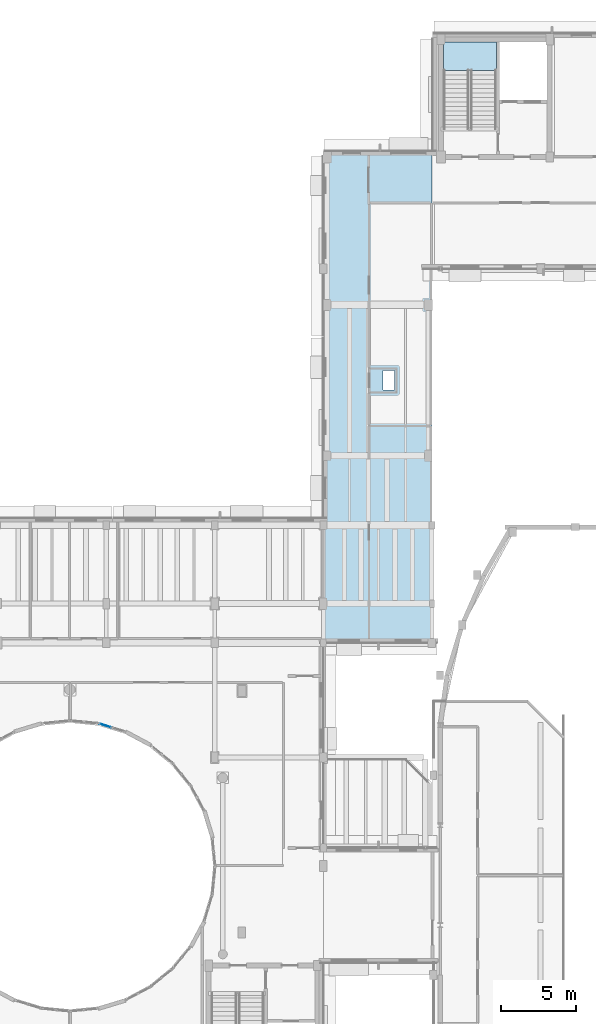
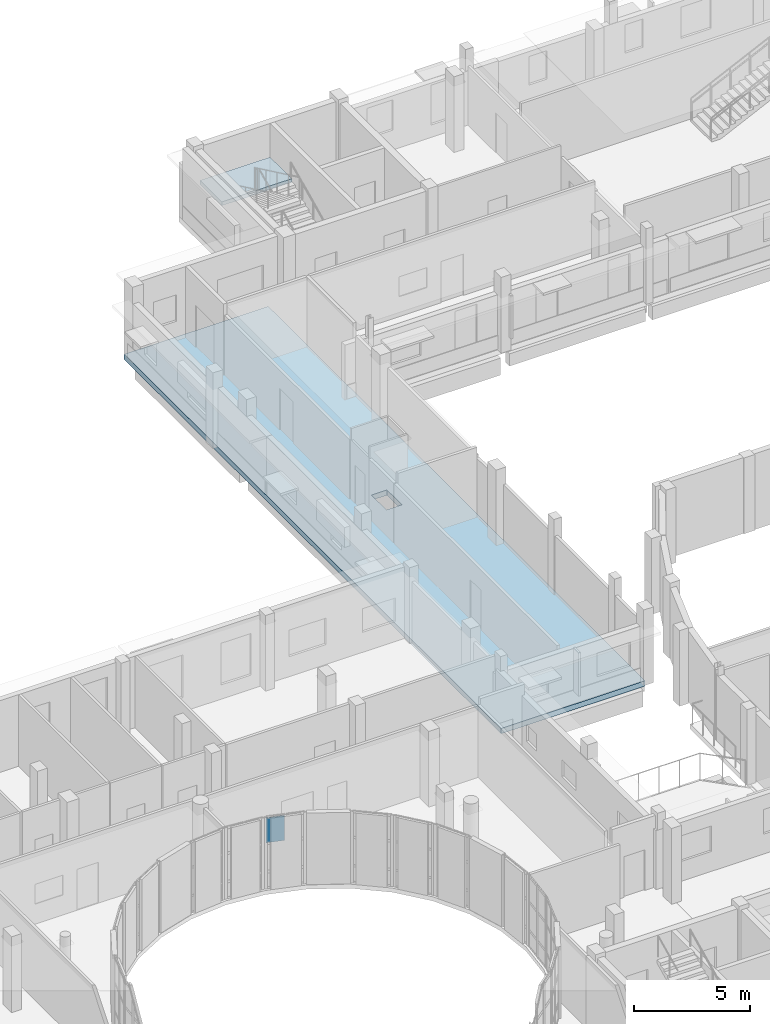
# One storey, part 63 of 92: 2 slabs, 1 plate, 2 elements without a shape of their own.
"""IFC4 building model written with IfcOpenShell, lengths in metres."""

from ifc_helpers import new_model, si_unit, direction, frame, origin, origin_2d, place, context, subcontext, project, spatial, polyline, rectangle, outline, extrude, material, layer, layer_set, type_object, element, aggregate, save


model = new_model("IFC4")

# Units and contexts
model_context = context("Model", 3, precision=1e-05, world=origin(), true_north=direction((0.0, 1.0)))
body_context = subcontext(model_context, "Body", "Model", "MODEL_VIEW")
ifc_project = project(units=[si_unit("LENGTHUNIT", "METRE"), si_unit("AREAUNIT", "SQUARE_METRE"), si_unit("VOLUMEUNIT", "CUBIC_METRE"), si_unit("PLANEANGLEUNIT", "RADIAN"), si_unit("MASSUNIT", "GRAM", prefix="KILO")], contexts=[model_context])

# Site, building, storey
site_placement = place(None, origin())
site = spatial("IfcSite", under=ifc_project, at=site_placement, CompositionType="ELEMENT")
building_placement = place(site_placement, origin())
building = spatial("IfcBuilding", under=site, at=building_placement, Name="Kelanivale Promenade Academy", CompositionType="ELEMENT")
storey_placement = place(building_placement, frame((0.0, 0.0, 8.199951171875)))
storey = spatial("IfcBuildingStorey", under=building, at=storey_placement, Name="L02", CompositionType="ELEMENT", Elevation=8.199951171875)

# Curtain wall, plate
ifc_material_1 = material(Name="Bronze anodised aluminium and solar-control low-E glass", Category="aluminium")
ifc_layer_1 = layer(ifc_material_1, 0.179931640625)
ifc_layer_set_1 = layer_set([ifc_layer_1], Name="Bronze anodised aluminium and solar-control low-E glass")
curtain_wall_type = type_object("IfcCurtainWallType", Name="CW-11 Curtain Wall 1950mm Module", PredefinedType="USERDEFINED", material=ifc_layer_set_1)
curtain_wall_placement = place(storey_placement, origin())
curtain_wall = element("IfcCurtainWall", 1, at=curtain_wall_placement, inside=storey, type_object=curtain_wall_type, Name="L02 courtyard curtain wall CW-11", ObjectType="UNITISED GLAZING", PredefinedType="USERDEFINED")
ifc_material_2 = material(Name="Acoustic laminated double glazing 36 mm", Category="glass")
ifc_layer_2 = layer(ifc_material_2, 0.035888671875)
ifc_layer_set_2 = layer_set([ifc_layer_2], Name="Acoustic laminated double glazing 36 mm")
plate_type = type_object("IfcPlateType", Name="CWP-02 Plate 36mm", PredefinedType="CURTAIN_PANEL", material=ifc_layer_set_2)
plate_placement = place(storey_placement, frame((101.151611328125, 66.1123046875, 2.42529296875), z_axis=(0.0, 0.0, 1.0), x_axis=(-0.956987977524, 0.290127576893, 0.0)))
plate = element("IfcPlate", 2, at=plate_placement, type_object=plate_type, Name="CW-11 panel 2.3", PredefinedType="CURTAIN_PANEL", context=body_context, shape_type="SweptSolid", body=[
    extrude(rectangle(XDim=0.826171875, YDim=0.035888671875, at=origin_2d()), origin(), (0.0, 0.0, 1.0), 1.304931640625),
])
aggregate(curtain_wall, [plate])

# Slab
ifc_material_3 = material(Name="Concrete C35/45", Category="concrete")
ifc_layer_3 = layer(ifc_material_3, 0.280029296875)
ifc_layer_set_3 = layer_set([ifc_layer_3], Name="Concrete C35/45")
slab_type_1 = type_object("IfcSlabType", Name="FS-03 Slab 280mm", PredefinedType="FLOOR", material=ifc_layer_set_3)
slab_1_placement = place(storey_placement, frame((0.0, 0.0, -0.280029296875)))
element("IfcSlab", 3, at=slab_1_placement, inside=storey, type_object=slab_type_1, Name="L02 structural slab SLB-L02-V5K", PredefinedType="FLOOR", context=body_context, shape_type="SweptSolid", body=[
    extrude(outline(polyline([(122.800048828125, 71.60009765625), (122.800048828125, 104.199951171875), (115.60009765625, 104.199951171875), (115.60009765625, 71.60009765625), (122.800048828125, 71.60009765625)]), holes=[polyline([(120.320068359375, 89.64990234375), (120.320068359375, 88.35009765625), (119.550048828125, 88.35009765625), (119.550048828125, 89.64990234375), (120.320068359375, 89.64990234375)])]), origin(), (0.0, 0.0, 1.0), 0.280029296875),
])

# Stair, slab
stair_type = type_object("IfcStairType", Name="ST-T02 Protected dog-leg upper-storey stair", PredefinedType="HALF_TURN_STAIR", material=ifc_material_3)
stair_placement = place(storey_placement, origin())
stair = element("IfcStair", 4, at=stair_placement, inside=storey, type_object=stair_type, Name="L02 ST-05", PredefinedType="HALF_TURN_STAIR")
ifc_layer_4 = layer(ifc_material_3, 0.199951171875)
ifc_layer_set_4 = layer_set([ifc_layer_4], Name="Concrete C35/45")
slab_type_2 = type_object("IfcSlabType", Name="LS-01 Slab 200mm", PredefinedType="LANDING", material=ifc_layer_set_4)
slab_2_placement = place(storey_placement, frame((0.0, 0.0, 1.800048828125)))
slab_2 = element("IfcSlab", 5, at=slab_2_placement, type_object=slab_type_2, Name="ST-05 landing 1", PredefinedType="LANDING", context=body_context, shape_type="SweptSolid", body=[
    extrude(outline(polyline([(127.06494140625, 109.554931640625), (127.06494140625, 111.43505859375), (123.56494140625, 111.43505859375), (123.56494140625, 109.554931640625), (127.06494140625, 109.554931640625)])), origin(), (0.0, 0.0, 1.0), 0.199951171875),
])
aggregate(stair, [slab_2])

save(model, "model.ifc")
